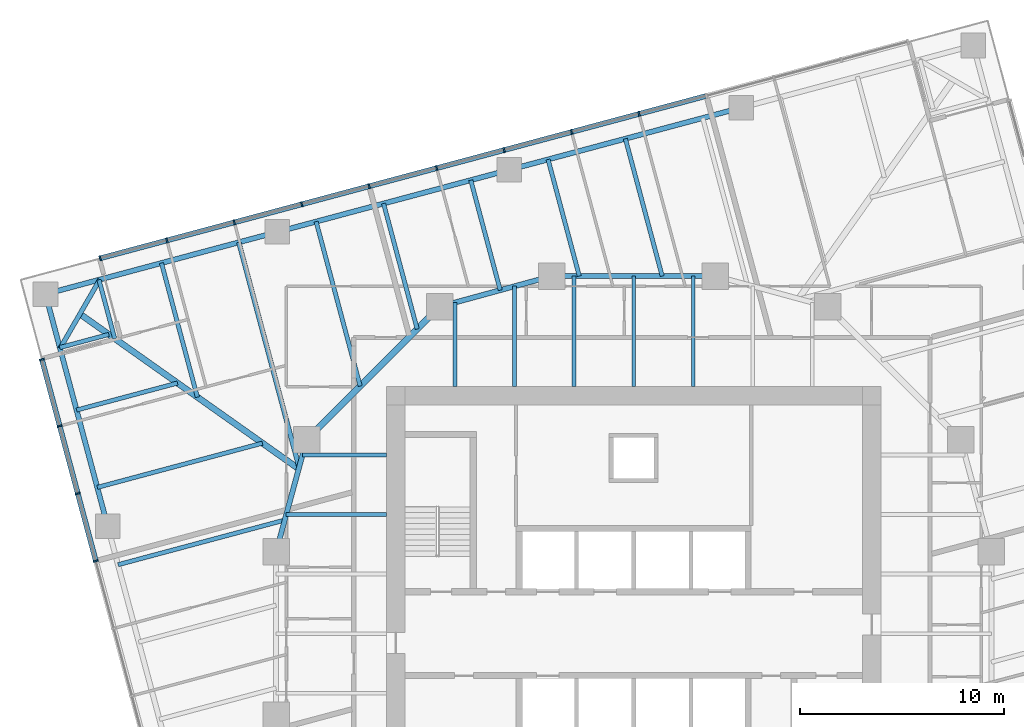
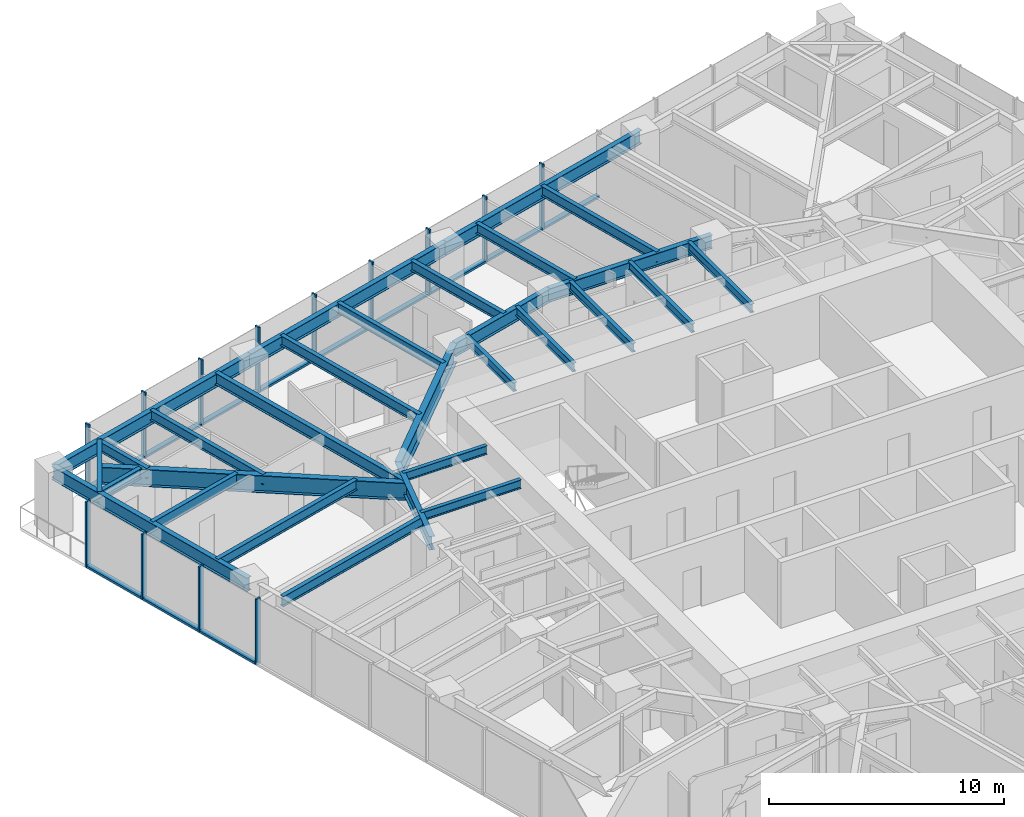
# One storey, part 5 of 13: 29 beams, 25 members, 2 elements without a shape of their own.
"""IFC4 building model written with IfcOpenShell, lengths in metres."""

from ifc_helpers import new_model, si_unit, direction, frame, origin, origin_2d, place, context, subcontext, project, spatial, rectangle, i_section, extrude, material, material_profile, profile_set, type_object, element, aggregate, save


model = new_model("IFC4")

# Units and contexts
model_context = context("Model", 3, precision=1e-05, world=origin(), true_north=direction((0.0, 1.0)))
body_context = subcontext(model_context, "Body", "Model", "MODEL_VIEW")
ifc_project = project(units=[si_unit("LENGTHUNIT", "METRE"), si_unit("AREAUNIT", "SQUARE_METRE"), si_unit("VOLUMEUNIT", "CUBIC_METRE"), si_unit("PLANEANGLEUNIT", "RADIAN"), si_unit("MASSUNIT", "GRAM", prefix="KILO")], contexts=[model_context])

# Site, building, storey
site_placement = place(None, origin())
site = spatial("IfcSite", under=ifc_project, at=site_placement, CompositionType="ELEMENT")
building_placement = place(site_placement, origin())
building = spatial("IfcBuilding", under=site, at=building_placement, Name="Torsade Residences", CompositionType="ELEMENT")
storey_placement = place(building_placement, frame((0.0, 0.0, 118.39990234375)))
storey = spatial("IfcBuildingStorey", under=building, at=storey_placement, Name="L32", CompositionType="ELEMENT", Elevation=118.39990234375)

# Beams
ifc_material_1 = material(Name="Steel grade 300", Category="steel")
ifc_material_profile_1 = material_profile(ifc_material_1, i_section(OverallWidth=0.300048828125, OverallDepth=0.89990234375, WebThickness=0.011962890625, FlangeThickness=0.02490234375, at=origin_2d()), Name="900WB175")
ifc_profile_set_1 = profile_set([ifc_material_profile_1], Name="Steel grade 300")
beam_type_1 = type_object("IfcBeamType", Name="CORNER GIRDER 900WB175", PredefinedType="BEAM", material=ifc_profile_set_1)
beam_1_placement = place(storey_placement, frame((12.902587890625, 45.644775390625, 2.800048828125), z_axis=(0.816261084801, -0.577683167004, 0.0), x_axis=(0.577683167004, 0.816261084801, 0.0)))
element("IfcBeam", 1, at=beam_1_placement, inside=storey, type_object=beam_type_1, Name="Corner girder 13 L33", PredefinedType="BEAM", context=body_context, shape_type="SweptSolid", body=[
    extrude(i_section(OverallWidth=0.300048828125, OverallDepth=0.89990234375, WebThickness=0.011962890625, FlangeThickness=0.02490234375, at=origin_2d()), origin(), (0.0, 0.0, 1.0), 13.116943359375),
])
ifc_material_2 = material(Name="Steel grade 300", Category="steel")
ifc_material_profile_2 = material_profile(ifc_material_2, i_section(OverallWidth=0.22802734375, OverallDepth=0.60205078125, WebThickness=0.010498046875, FlangeThickness=0.014892578125, FilletRadius=0.013916015625, at=origin_2d()), Name="610UB101")
ifc_profile_set_2 = profile_set([ifc_material_profile_2], Name="Steel grade 300")
beam_type_2 = type_object("IfcBeamType", Name="CORNER TRIMMER 610UB101", PredefinedType="BEAM", material=ifc_profile_set_2)
beam_2_placement = place(storey_placement, frame((11.93017578125, 43.960693359375, 2.94921875), z_axis=(0.499994147244, 0.866028782848, 0.0), x_axis=(-0.866028782848, 0.499994147244, 0.0)))
element("IfcBeam", 2, at=beam_2_placement, inside=storey, type_object=beam_type_2, Name="Corner trimmer 13 L33", PredefinedType="BEAM", context=body_context, shape_type="SweptSolid", body=[
    extrude(i_section(OverallWidth=0.22802734375, OverallDepth=0.60205078125, WebThickness=0.010498046875, FlangeThickness=0.014892578125, FilletRadius=0.013916015625, at=origin_2d()), origin(), (0.0, 0.0, 1.0), 3.88916015625),
])
ifc_material_3 = material(Name="Steel grade 300", Category="steel")
ifc_material_profile_3 = material_profile(ifc_material_3, i_section(OverallWidth=0.25, OverallDepth=0.699951171875, WebThickness=0.010009765625, FlangeThickness=0.02001953125, at=origin_2d()), Name="700WB130")
ifc_profile_set_3 = profile_set([ifc_material_profile_3], Name="Steel grade 300")
beam_type_3 = type_object("IfcBeamType", Name="EDGE BEAM 700WB130", PredefinedType="SPANDREL", material=ifc_profile_set_3)
for number, where, z_axis, x_axis, name in (
    (3, (45.267333984375, 55.740478515625, 2.900146484375), (-0.965922824118, -0.258830249097, 0.0), (0.258830249097, -0.965922824118, 0.0), "Edge beam 10 L33"),
    (4, (33.917724609375, 52.69921875, 2.900146484375), (-0.965928018634, -0.258810863021, 0.0), (0.258810863021, -0.965928018634, 0.0), "Edge beam 11 L33"),
    (5, (22.568115234375, 49.658203125, 2.900146484375), (-0.965922824118, -0.258830249097, 0.0), (0.258830249097, -0.965922824118, 0.0), "Edge beam 12 L33"),
    (6, (11.218505859375, 46.616943359375, 2.900146484375), (0.258810863021, -0.965928018634, 0.0), (0.965928018634, 0.258810863021, 0.0), "Edge beam 13 L33"),
):
    element("IfcBeam", number, at=place(storey_placement, frame(where, z_axis=z_axis, x_axis=x_axis)), inside=storey, type_object=beam_type_3, Name=name, PredefinedType="SPANDREL", context=body_context, shape_type="SweptSolid", body=[
        extrude(i_section(OverallWidth=0.25, OverallDepth=0.699951171875, WebThickness=0.010009765625, FlangeThickness=0.02001953125, at=origin_2d()), origin(), (0.0, 0.0, 1.0), 11.75),
    ])
ifc_material_4 = material(Name="Steel grade 300", Category="steel")
ifc_material_profile_4 = material_profile(ifc_material_4, i_section(OverallWidth=0.18994140625, OverallDepth=0.4541015625, WebThickness=0.008544921875, FlangeThickness=0.0126953125, FilletRadius=0.011474609375, at=origin_2d()), Name="460UB67.1")
ifc_profile_set_4 = profile_set([ifc_material_profile_4], Name="Steel grade 300")
beam_type_4 = type_object("IfcBeamType", Name="INNER FLOOR BEAM 460UB67.1", PredefinedType="JOIST", material=ifc_profile_set_4)
beam_3_placement = place(storey_placement, frame((31.262451171875, 42.10009765625, 3.023193359375), z_axis=(0.0, 1.0, 0.0), x_axis=(-1.0, 0.0, 0.0)))
element("IfcBeam", 7, at=beam_3_placement, inside=storey, type_object=beam_type_4, Name="Inner floor beam IN01 L33", PredefinedType="JOIST", context=body_context, shape_type="SweptSolid", body=[
    extrude(i_section(OverallWidth=0.18994140625, OverallDepth=0.4541015625, WebThickness=0.008544921875, FlangeThickness=0.0126953125, FilletRadius=0.011474609375, at=origin_2d()), origin(), (0.0, 0.0, 1.0), 4.10791015625),
])
beam_4_placement = place(storey_placement, frame((34.175048828125, 42.10009765625, 3.023193359375), z_axis=(0.0, 1.0, 0.0), x_axis=(-1.0, 0.0, 0.0)))
element("IfcBeam", 8, at=beam_4_placement, inside=storey, type_object=beam_type_4, Name="Inner floor beam IN02 L33", PredefinedType="JOIST", context=body_context, shape_type="SweptSolid", body=[
    extrude(i_section(OverallWidth=0.18994140625, OverallDepth=0.4541015625, WebThickness=0.008544921875, FlangeThickness=0.0126953125, FilletRadius=0.011474609375, at=origin_2d()), origin(), (0.0, 0.0, 1.0), 4.902099609375),
])
for number, where, z_axis, x_axis, name in (
    (9, (37.08740234375, 42.10009765625, 3.023193359375), (0.0, 1.0, 0.0), (-1.0, 0.0, 0.0), "Inner floor beam IN03 L33"),
    (10, (40.0, 42.10009765625, 3.023193359375), (0.0, 1.0, 0.0), (-1.0, 0.0, 0.0), "Inner floor beam IN04 L33"),
    (11, (42.91259765625, 42.10009765625, 3.023193359375), (0.0, 1.0, 0.0), (-1.0, 0.0, 0.0), "Inner floor beam IN05 L33"),
):
    element("IfcBeam", number, at=place(storey_placement, frame(where, z_axis=z_axis, x_axis=x_axis)), inside=storey, type_object=beam_type_4, Name=name, PredefinedType="JOIST", context=body_context, shape_type="SweptSolid", body=[
        extrude(i_section(OverallWidth=0.18994140625, OverallDepth=0.4541015625, WebThickness=0.008544921875, FlangeThickness=0.0126953125, FilletRadius=0.011474609375, at=origin_2d()), origin(), (0.0, 0.0, 1.0), 5.39990234375),
    ])
beam_5_placement = place(storey_placement, frame((27.89990234375, 38.737548828125, 3.023193359375), z_axis=(-1.0, 0.0, 0.0), x_axis=(0.0, -1.0, 0.0)))
element("IfcBeam", 12, at=beam_5_placement, inside=storey, type_object=beam_type_4, Name="Inner floor beam IW01 L33", PredefinedType="JOIST", context=body_context, shape_type="SweptSolid", body=[
    extrude(i_section(OverallWidth=0.18994140625, OverallDepth=0.4541015625, WebThickness=0.008544921875, FlangeThickness=0.0126953125, FilletRadius=0.011474609375, at=origin_2d()), origin(), (0.0, 0.0, 1.0), 4.10791015625),
])
beam_6_placement = place(storey_placement, frame((27.89990234375, 35.824951171875, 3.023193359375), z_axis=(-1.0, 0.0, 0.0), x_axis=(0.0, -1.0, 0.0)))
element("IfcBeam", 13, at=beam_6_placement, inside=storey, type_object=beam_type_4, Name="Inner floor beam IW02 L33", PredefinedType="JOIST", context=body_context, shape_type="SweptSolid", body=[
    extrude(i_section(OverallWidth=0.18994140625, OverallDepth=0.4541015625, WebThickness=0.008544921875, FlangeThickness=0.0126953125, FilletRadius=0.011474609375, at=origin_2d()), origin(), (0.0, 0.0, 1.0), 4.902099609375),
])

# Curtain wall, members
ifc_material_5 = material(Name="Aluminium and glass", Category="aluminium")
curtain_wall_type = type_object("IfcCurtainWallType", Name="FRITTED GLASS CURTAIN WALL MID ZONE", PredefinedType="NOTDEFINED", material=ifc_material_5)
curtain_wall_1_placement = place(storey_placement, origin())
curtain_wall_1 = element("IfcCurtainWall", 14, at=curtain_wall_1_placement, inside=storey, type_object=curtain_wall_type, Name="Curtain wall L32 face 7", PredefinedType="NOTDEFINED")
ifc_material_6 = material(Name="Aluminium mullion", Category="aluminium")
ifc_material_profile_5 = material_profile(ifc_material_6, rectangle(XDim=0.25, YDim=0.080078125, at=origin_2d()), Name="MID ZONE CURTAIN WALL MULLION 250x80")
ifc_profile_set_5 = profile_set([ifc_material_profile_5], Name="Aluminium mullion")
member_type_1 = type_object("IfcMemberType", Name="MID ZONE CURTAIN WALL MULLION 250x80", PredefinedType="MULLION", material=ifc_profile_set_5)
member_1_placement = place(storey_placement, frame((40.259521484375, 55.433837890625, 0.0), z_axis=(0.0, 0.0, 1.0), x_axis=(0.258819047783, -0.965925825571, 0.0)))
member_1 = element("IfcMember", 15, at=member_1_placement, type_object=member_type_1, Name="Mullion 5", PredefinedType="MULLION", context=body_context, shape_type="SweptSolid", body=[
    extrude(rectangle(XDim=0.25, YDim=0.080078125, at=origin_2d()), origin(), (0.0, 0.0, 1.0), 3.400146484375),
])
member_2_placement = place(storey_placement, frame((36.959228515625, 54.549560546875, 0.0), z_axis=(0.0, 0.0, 1.0), x_axis=(0.258819047783, -0.965925825571, 0.0)))
member_2 = element("IfcMember", 16, at=member_2_placement, type_object=member_type_1, Name="Mullion 6", PredefinedType="MULLION", context=body_context, shape_type="SweptSolid", body=[
    extrude(rectangle(XDim=0.25, YDim=0.080078125, at=origin_2d()), origin(), (0.0, 0.0, 1.0), 3.400146484375),
])
member_3_placement = place(storey_placement, frame((33.658935546875, 53.665283203125, 0.0), z_axis=(0.0, 0.0, 1.0), x_axis=(0.258819047783, -0.965925825571, 0.0)))
member_3 = element("IfcMember", 17, at=member_3_placement, type_object=member_type_1, Name="Mullion 7", PredefinedType="MULLION", context=body_context, shape_type="SweptSolid", body=[
    extrude(rectangle(XDim=0.25, YDim=0.080078125, at=origin_2d()), origin(), (0.0, 0.0, 1.0), 3.400146484375),
])
member_4_placement = place(storey_placement, frame((30.358642578125, 52.781005859375, 0.0), z_axis=(0.0, 0.0, 1.0), x_axis=(0.258819047783, -0.965925825571, 0.0)))
member_4 = element("IfcMember", 18, at=member_4_placement, type_object=member_type_1, Name="Mullion 8", PredefinedType="MULLION", context=body_context, shape_type="SweptSolid", body=[
    extrude(rectangle(XDim=0.25, YDim=0.080078125, at=origin_2d()), origin(), (0.0, 0.0, 1.0), 3.400146484375),
])
member_5_placement = place(storey_placement, frame((27.058349609375, 51.896484375, 0.0), z_axis=(0.0, 0.0, 1.0), x_axis=(0.258819047783, -0.965925825571, 0.0)))
member_5 = element("IfcMember", 19, at=member_5_placement, type_object=member_type_1, Name="Mullion 9", PredefinedType="MULLION", context=body_context, shape_type="SweptSolid", body=[
    extrude(rectangle(XDim=0.25, YDim=0.080078125, at=origin_2d()), origin(), (0.0, 0.0, 1.0), 3.400146484375),
])
member_6_placement = place(storey_placement, frame((23.75830078125, 51.01220703125, 0.0), z_axis=(0.0, 0.0, 1.0), x_axis=(0.258819047783, -0.965925825571, 0.0)))
member_6 = element("IfcMember", 20, at=member_6_placement, type_object=member_type_1, Name="Mullion 10", PredefinedType="MULLION", context=body_context, shape_type="SweptSolid", body=[
    extrude(rectangle(XDim=0.25, YDim=0.080078125, at=origin_2d()), origin(), (0.0, 0.0, 1.0), 3.400146484375),
])
member_7_placement = place(storey_placement, frame((20.4580078125, 50.1279296875, 0.0), z_axis=(0.0, 0.0, 1.0), x_axis=(0.258819047783, -0.965925825571, 0.0)))
member_7 = element("IfcMember", 21, at=member_7_placement, type_object=member_type_1, Name="Mullion 11", PredefinedType="MULLION", context=body_context, shape_type="SweptSolid", body=[
    extrude(rectangle(XDim=0.25, YDim=0.080078125, at=origin_2d()), origin(), (0.0, 0.0, 1.0), 3.400146484375),
])
member_8_placement = place(storey_placement, frame((17.15771484375, 49.24365234375, 0.0), z_axis=(0.0, 0.0, 1.0), x_axis=(0.258819047783, -0.965925825571, 0.0)))
member_8 = element("IfcMember", 22, at=member_8_placement, type_object=member_type_1, Name="Mullion 12", PredefinedType="MULLION", context=body_context, shape_type="SweptSolid", body=[
    extrude(rectangle(XDim=0.25, YDim=0.080078125, at=origin_2d()), origin(), (0.0, 0.0, 1.0), 3.400146484375),
])
member_9_placement = place(storey_placement, frame((13.89599609375, 48.36962890625, 0.0), z_axis=(0.0, 0.0, 1.0), x_axis=(0.258819047783, -0.965925825571, 0.0)))
member_9 = element("IfcMember", 23, at=member_9_placement, type_object=member_type_1, Name="Mullion 13", PredefinedType="MULLION", context=body_context, shape_type="SweptSolid", body=[
    extrude(rectangle(XDim=0.25, YDim=0.080078125, at=origin_2d()), origin(), (0.0, 0.0, 1.0), 3.400146484375),
])

curtain_wall_2_placement = place(storey_placement, origin())
curtain_wall_2 = element("IfcCurtainWall", 24, at=curtain_wall_2_placement, inside=storey, type_object=curtain_wall_type, Name="Curtain wall L32 face 10", PredefinedType="NOTDEFINED")
member_10_placement = place(storey_placement, frame((11.039306640625, 43.421875, 0.0), z_axis=(0.0, 0.0, 1.0), x_axis=(0.965925825571, 0.258819047783, 0.0)))
member_10 = element("IfcMember", 25, at=member_10_placement, type_object=member_type_1, Name="Mullion 1", PredefinedType="MULLION", context=body_context, shape_type="SweptSolid", body=[
    extrude(rectangle(XDim=0.25, YDim=0.080078125, at=origin_2d()), origin(), (0.0, 0.0, 1.0), 3.400146484375),
])
member_11_placement = place(storey_placement, frame((11.913330078125, 40.16015625, 0.0), z_axis=(0.0, 0.0, 1.0), x_axis=(0.965925825571, 0.258819047783, 0.0)))
member_11 = element("IfcMember", 26, at=member_11_placement, type_object=member_type_1, Name="Mullion 2", PredefinedType="MULLION", context=body_context, shape_type="SweptSolid", body=[
    extrude(rectangle(XDim=0.25, YDim=0.080078125, at=origin_2d()), origin(), (0.0, 0.0, 1.0), 3.400146484375),
])
member_12_placement = place(storey_placement, frame((12.797607421875, 36.85986328125, 0.0), z_axis=(0.0, 0.0, 1.0), x_axis=(0.965925825571, 0.258819047783, 0.0)))
member_12 = element("IfcMember", 27, at=member_12_placement, type_object=member_type_1, Name="Mullion 3", PredefinedType="MULLION", context=body_context, shape_type="SweptSolid", body=[
    extrude(rectangle(XDim=0.25, YDim=0.080078125, at=origin_2d()), origin(), (0.0, 0.0, 1.0), 3.400146484375),
])
member_13_placement = place(storey_placement, frame((13.681884765625, 33.5595703125, 0.0), z_axis=(0.0, 0.0, 1.0), x_axis=(0.965925825571, 0.258819047783, 0.0)))
member_13 = element("IfcMember", 28, at=member_13_placement, type_object=member_type_1, Name="Mullion 4", PredefinedType="MULLION", context=body_context, shape_type="SweptSolid", body=[
    extrude(rectangle(XDim=0.25, YDim=0.080078125, at=origin_2d()), origin(), (0.0, 0.0, 1.0), 3.400146484375),
])

# Member
ifc_material_7 = material(Name="Aluminium transom", Category="aluminium")
ifc_material_profile_6 = material_profile(ifc_material_7, rectangle(XDim=0.25, YDim=0.110107421875, at=origin_2d()), Name="MID ZONE CURTAIN WALL TRANSOM 250x110")
ifc_profile_set_6 = profile_set([ifc_material_profile_6], Name="Aluminium transom")
member_type_2 = type_object("IfcMemberType", Name="MID ZONE CURTAIN WALL TRANSOM 250x110", PredefinedType="USERDEFINED", material=ifc_profile_set_6)
member_14_placement = place(storey_placement, frame((43.52099609375, 56.3076171875, 0.05517578125), z_axis=(-0.965929435155, -0.258805576255, 0.0), x_axis=(0.258805576255, -0.965929435155, 0.0)))
member_14 = element("IfcMember", 29, at=member_14_placement, type_object=member_type_2, Name="Transom 4.1", ObjectType="TRANSOM", PredefinedType="USERDEFINED", context=body_context, shape_type="SweptSolid", body=[
    extrude(rectangle(XDim=0.25, YDim=0.110107421875, at=origin_2d()), origin(), (0.0, 0.0, 1.0), 3.336669921875),
])

member_15_placement = place(storey_placement, frame((40.220703125, 55.42333984375, 0.05517578125), z_axis=(-0.965929435155, -0.258805576255, 0.0), x_axis=(0.258805576255, -0.965929435155, 0.0)))
member_15 = element("IfcMember", 30, at=member_15_placement, type_object=member_type_2, Name="Transom 5.1", ObjectType="TRANSOM", PredefinedType="USERDEFINED", context=body_context, shape_type="SweptSolid", body=[
    extrude(rectangle(XDim=0.25, YDim=0.110107421875, at=origin_2d()), origin(), (0.0, 0.0, 1.0), 3.336669921875),
])

member_16_placement = place(storey_placement, frame((36.920654296875, 54.5390625, 0.05517578125), z_axis=(-0.965934335648, -0.258787285653, 0.0), x_axis=(0.258787285653, -0.965934335648, 0.0)))
member_16 = element("IfcMember", 31, at=member_16_placement, type_object=member_type_2, Name="Transom 6.1", ObjectType="TRANSOM", PredefinedType="USERDEFINED", context=body_context, shape_type="SweptSolid", body=[
    extrude(rectangle(XDim=0.25, YDim=0.110107421875, at=origin_2d()), origin(), (0.0, 0.0, 1.0), 3.3369140625),
])

member_17_placement = place(storey_placement, frame((33.620361328125, 53.65478515625, 0.05517578125), z_axis=(-0.965934335648, -0.258787285653, 0.0), x_axis=(0.258787285653, -0.965934335648, 0.0)))
member_17 = element("IfcMember", 32, at=member_17_placement, type_object=member_type_2, Name="Transom 7.1", ObjectType="TRANSOM", PredefinedType="USERDEFINED", context=body_context, shape_type="SweptSolid", body=[
    extrude(rectangle(XDim=0.25, YDim=0.110107421875, at=origin_2d()), origin(), (0.0, 0.0, 1.0), 3.3369140625),
])

member_18_placement = place(storey_placement, frame((30.320068359375, 52.7705078125, 0.05517578125), z_axis=(-0.965929435155, -0.258805576255, 0.0), x_axis=(0.258805576255, -0.965929435155, 0.0)))
member_18 = element("IfcMember", 33, at=member_18_placement, type_object=member_type_2, Name="Transom 8.1", ObjectType="TRANSOM", PredefinedType="USERDEFINED", context=body_context, shape_type="SweptSolid", body=[
    extrude(rectangle(XDim=0.25, YDim=0.110107421875, at=origin_2d()), origin(), (0.0, 0.0, 1.0), 3.336669921875),
])

member_19_placement = place(storey_placement, frame((27.019775390625, 51.88623046875, 0.05517578125), z_axis=(-0.965929435155, -0.258805576255, 0.0), x_axis=(0.258805576255, -0.965929435155, 0.0)))
member_19 = element("IfcMember", 34, at=member_19_placement, type_object=member_type_2, Name="Transom 9.1", ObjectType="TRANSOM", PredefinedType="USERDEFINED", context=body_context, shape_type="SweptSolid", body=[
    extrude(rectangle(XDim=0.25, YDim=0.110107421875, at=origin_2d()), origin(), (0.0, 0.0, 1.0), 3.336669921875),
])

member_20_placement = place(storey_placement, frame((23.719482421875, 51.001953125, 0.05517578125), z_axis=(-0.965929435155, -0.258805576255, 0.0), x_axis=(0.258805576255, -0.965929435155, 0.0)))
member_20 = element("IfcMember", 35, at=member_20_placement, type_object=member_type_2, Name="Transom 10.1", ObjectType="TRANSOM", PredefinedType="USERDEFINED", context=body_context, shape_type="SweptSolid", body=[
    extrude(rectangle(XDim=0.25, YDim=0.110107421875, at=origin_2d()), origin(), (0.0, 0.0, 1.0), 3.336669921875),
])

member_21_placement = place(storey_placement, frame((20.419189453125, 50.11767578125, 0.05517578125), z_axis=(-0.965929435155, -0.258805576255, 0.0), x_axis=(0.258805576255, -0.965929435155, 0.0)))
member_21 = element("IfcMember", 36, at=member_21_placement, type_object=member_type_2, Name="Transom 11.1", ObjectType="TRANSOM", PredefinedType="USERDEFINED", context=body_context, shape_type="SweptSolid", body=[
    extrude(rectangle(XDim=0.25, YDim=0.110107421875, at=origin_2d()), origin(), (0.0, 0.0, 1.0), 3.336669921875),
])

member_22_placement = place(storey_placement, frame((17.119140625, 49.2333984375, 0.05517578125), z_axis=(-0.965923258633, -0.258828627534, 0.0), x_axis=(0.258828627534, -0.965923258633, 0.0)))
member_22 = element("IfcMember", 37, at=member_22_placement, type_object=member_type_2, Name="Transom 12.1", ObjectType="TRANSOM", PredefinedType="USERDEFINED", context=body_context, shape_type="SweptSolid", body=[
    extrude(rectangle(XDim=0.25, YDim=0.110107421875, at=origin_2d()), origin(), (0.0, 0.0, 1.0), 3.296630859375),
])

aggregate(curtain_wall_1, [member_1, member_2, member_3, member_4, member_5, member_6, member_7, member_8, member_9, member_14, member_15, member_16, member_17, member_18, member_19, member_20, member_21, member_22])

member_23_placement = place(storey_placement, frame((11.0498046875, 43.383056640625, 0.05517578125), z_axis=(0.258828627534, -0.965923258633, 0.0), x_axis=(0.965923258633, 0.258828627534, 0.0)))
member_23 = element("IfcMember", 38, at=member_23_placement, type_object=member_type_2, Name="Transom 1.1", ObjectType="TRANSOM", PredefinedType="USERDEFINED", context=body_context, shape_type="SweptSolid", body=[
    extrude(rectangle(XDim=0.25, YDim=0.110107421875, at=origin_2d()), origin(), (0.0, 0.0, 1.0), 3.296630859375),
])

member_24_placement = place(storey_placement, frame((11.923583984375, 40.12158203125, 0.05517578125), z_axis=(0.258855549498, -0.965916044226, 0.0), x_axis=(0.965916044226, 0.258855549498, 0.0)))
member_24 = element("IfcMember", 39, at=member_24_placement, type_object=member_type_2, Name="Transom 2.1", ObjectType="TRANSOM", PredefinedType="USERDEFINED", context=body_context, shape_type="SweptSolid", body=[
    extrude(rectangle(XDim=0.25, YDim=0.110107421875, at=origin_2d()), origin(), (0.0, 0.0, 1.0), 3.3369140625),
])

member_25_placement = place(storey_placement, frame((12.807861328125, 36.8212890625, 0.05517578125), z_axis=(0.258873844232, -0.96591114124, 0.0), x_axis=(0.96591114124, 0.258873844232, 0.0)))
member_25 = element("IfcMember", 40, at=member_25_placement, type_object=member_type_2, Name="Transom 3.1", ObjectType="TRANSOM", PredefinedType="USERDEFINED", context=body_context, shape_type="SweptSolid", body=[
    extrude(rectangle(XDim=0.25, YDim=0.110107421875, at=origin_2d()), origin(), (0.0, 0.0, 1.0), 3.336669921875),
])

aggregate(curtain_wall_2, [member_10, member_11, member_12, member_13, member_23, member_24, member_25])

# Beams
ifc_material_8 = material(Name="Steel grade 300", Category="steel")
ifc_material_profile_7 = material_profile(ifc_material_8, i_section(OverallWidth=0.300048828125, OverallDepth=1.0, WebThickness=0.01611328125, FlangeThickness=0.028076171875, at=origin_2d()), Name="1000WB215")
ifc_profile_set_7 = profile_set([ifc_material_profile_7], Name="Steel grade 300")
beam_type_5 = type_object("IfcBeamType", Name="RING CORNER GIRDER 1000WB215", PredefinedType="BEAM", material=ifc_profile_set_7)
beam_7_placement = place(storey_placement, frame((30.5, 46.0, 2.75), z_axis=(-0.707106781187, -0.707106781187, 0.0), x_axis=(0.707106781187, -0.707106781187, 0.0)))
element("IfcBeam", 41, at=beam_7_placement, inside=storey, type_object=beam_type_5, Name="Ring girder IR07 L33", PredefinedType="BEAM", context=body_context, shape_type="SweptSolid", body=[
    extrude(i_section(OverallWidth=0.300048828125, OverallDepth=1.0, WebThickness=0.01611328125, FlangeThickness=0.028076171875, at=origin_2d()), origin(), (0.0, 0.0, 1.0), 9.1923828125),
])
ifc_material_9 = material(Name="Steel grade 300", Category="steel")
ifc_material_profile_8 = material_profile(ifc_material_9, i_section(OverallWidth=0.25, OverallDepth=0.699951171875, WebThickness=0.010009765625, FlangeThickness=0.02001953125, at=origin_2d()), Name="700WB130")
ifc_profile_set_8 = profile_set([ifc_material_profile_8], Name="Steel grade 300")
beam_type_6 = type_object("IfcBeamType", Name="RING GIRDER 700WB130", PredefinedType="BEAM", material=ifc_profile_set_8)
beam_8_placement = place(storey_placement, frame((44.0, 47.5, 2.900146484375), z_axis=(-1.0, 0.0, 0.0), x_axis=(0.0, -1.0, 0.0)))
element("IfcBeam", 42, at=beam_8_placement, inside=storey, type_object=beam_type_6, Name="Ring girder IR05 L33", PredefinedType="BEAM", context=body_context, shape_type="SweptSolid", body=[
    extrude(i_section(OverallWidth=0.25, OverallDepth=0.699951171875, WebThickness=0.010009765625, FlangeThickness=0.02001953125, at=origin_2d()), origin(), (0.0, 0.0, 1.0), 8.0),
])
for number, where, z_axis, x_axis, name in (
    (43, (36.0, 47.5, 2.900146484375), (-0.964763821238, -0.263117405792, 0.0), (0.263117405792, -0.964763821238, 0.0), "Ring girder IR06 L33"),
    (44, (24.0, 39.5, 2.900146484375), (-0.263117405792, -0.964763821238, 0.0), (0.964763821238, -0.263117405792, 0.0), "Ring girder IR08 L33"),
):
    element("IfcBeam", number, at=place(storey_placement, frame(where, z_axis=z_axis, x_axis=x_axis)), inside=storey, type_object=beam_type_6, Name=name, PredefinedType="BEAM", context=body_context, shape_type="SweptSolid", body=[
        extrude(i_section(OverallWidth=0.25, OverallDepth=0.699951171875, WebThickness=0.010009765625, FlangeThickness=0.02001953125, at=origin_2d()), origin(), (0.0, 0.0, 1.0), 5.700927734375),
    ])
ifc_material_10 = material(Name="Steel grade 300", Category="steel")
ifc_material_profile_9 = material_profile(ifc_material_10, i_section(OverallWidth=0.208984375, OverallDepth=0.528076171875, WebThickness=0.009521484375, FlangeThickness=0.01318359375, FilletRadius=0.013916015625, at=origin_2d()), Name="530UB82.0")
ifc_profile_set_9 = profile_set([ifc_material_profile_9], Name="Steel grade 300")
beam_type_7 = type_object("IfcBeamType", Name="SECONDARY BEAM 530UB82.0", PredefinedType="JOIST", material=ifc_profile_set_9)
beam_9_placement = place(storey_placement, frame((39.592529296875, 54.2197265625, 2.986083984375), z_axis=(0.258817945835, -0.965926120836, 0.0), x_axis=(0.965926120836, 0.258817945835, 0.0)))
element("IfcBeam", 45, at=beam_9_placement, inside=storey, type_object=beam_type_7, Name="Floor beam FN05 L33", PredefinedType="JOIST", context=body_context, shape_type="SweptSolid", body=[
    extrude(i_section(OverallWidth=0.208984375, OverallDepth=0.528076171875, WebThickness=0.009521484375, FlangeThickness=0.01318359375, FilletRadius=0.013916015625, at=origin_2d()), origin(), (0.0, 0.0, 1.0), 6.956787109375),
])
beam_10_placement = place(storey_placement, frame((35.809326171875, 53.2060546875, 2.986083984375), z_axis=(0.258837996141, -0.965920748174, 0.0), x_axis=(0.965920748174, 0.258837996141, 0.0)))
element("IfcBeam", 46, at=beam_10_placement, inside=storey, type_object=beam_type_7, Name="Floor beam FN06 L33", PredefinedType="JOIST", context=body_context, shape_type="SweptSolid", body=[
    extrude(i_section(OverallWidth=0.208984375, OverallDepth=0.528076171875, WebThickness=0.009521484375, FlangeThickness=0.01318359375, FilletRadius=0.013916015625, at=origin_2d()), origin(), (0.0, 0.0, 1.0), 5.907470703125),
])
beam_11_placement = place(storey_placement, frame((32.026123046875, 52.1923828125, 2.986083984375), z_axis=(0.258829517553, -0.965923020144, 0.0), x_axis=(0.965923020144, 0.258829517553, 0.0)))
element("IfcBeam", 47, at=beam_11_placement, inside=storey, type_object=beam_type_7, Name="Floor beam FN07 L33", PredefinedType="JOIST", context=body_context, shape_type="SweptSolid", body=[
    extrude(i_section(OverallWidth=0.208984375, OverallDepth=0.528076171875, WebThickness=0.009521484375, FlangeThickness=0.01318359375, FilletRadius=0.013916015625, at=origin_2d()), origin(), (0.0, 0.0, 1.0), 5.57275390625),
])
beam_12_placement = place(storey_placement, frame((27.760009765625, 51.04931640625, 2.986083984375), z_axis=(0.258804520856, -0.965929717932, 0.0), x_axis=(0.965929717932, 0.258804520856, 0.0)))
element("IfcBeam", 48, at=beam_12_placement, inside=storey, type_object=beam_type_7, Name="Floor beam FN08 L33", PredefinedType="JOIST", context=body_context, shape_type="SweptSolid", body=[
    extrude(i_section(OverallWidth=0.208984375, OverallDepth=0.528076171875, WebThickness=0.009521484375, FlangeThickness=0.01318359375, FilletRadius=0.013916015625, at=origin_2d()), origin(), (0.0, 0.0, 1.0), 6.360107421875),
])
beam_13_placement = place(storey_placement, frame((24.459716796875, 50.1650390625, 2.986083984375), z_axis=(0.258833232221, -0.96592202475, 0.0), x_axis=(0.96592202475, 0.258833232221, 0.0)))
element("IfcBeam", 49, at=beam_13_placement, inside=storey, type_object=beam_type_7, Name="Floor beam FN09 L33", PredefinedType="JOIST", context=body_context, shape_type="SweptSolid", body=[
    extrude(i_section(OverallWidth=0.208984375, OverallDepth=0.528076171875, WebThickness=0.009521484375, FlangeThickness=0.01318359375, FilletRadius=0.013916015625, at=origin_2d()), origin(), (0.0, 0.0, 1.0), 8.33251953125),
])
beam_14_placement = place(storey_placement, frame((16.893310546875, 48.137451171875, 2.986083984375), z_axis=(0.258814533235, -0.965927035229, 0.0), x_axis=(0.965927035229, 0.258814533235, 0.0)))
element("IfcBeam", 50, at=beam_14_placement, inside=storey, type_object=beam_type_7, Name="Floor beam FN11 L33", PredefinedType="JOIST", context=body_context, shape_type="SweptSolid", body=[
    extrude(i_section(OverallWidth=0.208984375, OverallDepth=0.528076171875, WebThickness=0.009521484375, FlangeThickness=0.01318359375, FilletRadius=0.013916015625, at=origin_2d()), origin(), (0.0, 0.0, 1.0), 6.792724609375),
])
beam_15_placement = place(storey_placement, frame((13.83447265625, 47.31787109375, 2.986083984375), z_axis=(0.258865750242, -0.965913310475, 0.0), x_axis=(0.965913310475, 0.258865750242, 0.0)))
element("IfcBeam", 51, at=beam_15_placement, inside=storey, type_object=beam_type_7, Name="Floor beam FN12 L33", PredefinedType="JOIST", context=body_context, shape_type="SweptSolid", body=[
    extrude(i_section(OverallWidth=0.208984375, OverallDepth=0.528076171875, WebThickness=0.009521484375, FlangeThickness=0.01318359375, FilletRadius=0.013916015625, at=origin_2d()), origin(), (0.0, 0.0, 1.0), 2.980224609375),
])
beam_16_placement = place(storey_placement, frame((11.91943359375, 44.0009765625, 2.986083984375), z_axis=(0.965920834438, 0.258837674225, 0.0), x_axis=(-0.258837674225, 0.965920834438, 0.0)))
element("IfcBeam", 52, at=beam_16_placement, inside=storey, type_object=beam_type_7, Name="Floor beam FW01 L33", PredefinedType="JOIST", context=body_context, shape_type="SweptSolid", body=[
    extrude(i_section(OverallWidth=0.208984375, OverallDepth=0.528076171875, WebThickness=0.009521484375, FlangeThickness=0.01318359375, FilletRadius=0.013916015625, at=origin_2d()), origin(), (0.0, 0.0, 1.0), 2.482666015625),
])
beam_17_placement = place(storey_placement, frame((12.739013671875, 40.942138671875, 2.986083984375), z_axis=(0.965926736728, 0.258815647274, 0.0), x_axis=(-0.258815647274, 0.965926736728, 0.0)))
element("IfcBeam", 53, at=beam_17_placement, inside=storey, type_object=beam_type_7, Name="Floor beam FW02 L33", PredefinedType="JOIST", context=body_context, shape_type="SweptSolid", body=[
    extrude(i_section(OverallWidth=0.208984375, OverallDepth=0.528076171875, WebThickness=0.009521484375, FlangeThickness=0.01318359375, FilletRadius=0.013916015625, at=origin_2d()), origin(), (0.0, 0.0, 1.0), 5.11279296875),
])
beam_18_placement = place(storey_placement, frame((13.752685546875, 37.158935546875, 2.986083984375), z_axis=(0.965924734258, 0.258823120582, 0.0), x_axis=(-0.258823120582, 0.965924734258, 0.0)))
element("IfcBeam", 54, at=beam_18_placement, inside=storey, type_object=beam_type_7, Name="Floor beam FW03 L33", PredefinedType="JOIST", context=body_context, shape_type="SweptSolid", body=[
    extrude(i_section(OverallWidth=0.208984375, OverallDepth=0.528076171875, WebThickness=0.009521484375, FlangeThickness=0.01318359375, FilletRadius=0.013916015625, at=origin_2d()), origin(), (0.0, 0.0, 1.0), 8.365966796875),
])
beam_19_placement = place(storey_placement, frame((14.766357421875, 33.375732421875, 2.986083984375), z_axis=(0.965928701223, 0.258808315464, 0.0), x_axis=(-0.258808315464, 0.965928701223, 0.0)))
element("IfcBeam", 55, at=beam_19_placement, inside=storey, type_object=beam_type_7, Name="Floor beam FW04 L33", PredefinedType="JOIST", context=body_context, shape_type="SweptSolid", body=[
    extrude(i_section(OverallWidth=0.208984375, OverallDepth=0.528076171875, WebThickness=0.009521484375, FlangeThickness=0.01318359375, FilletRadius=0.013916015625, at=origin_2d()), origin(), (0.0, 0.0, 1.0), 8.447509765625),
])
ifc_material_11 = material(Name="Steel grade 300", Category="steel")
ifc_material_profile_10 = material_profile(ifc_material_11, i_section(OverallWidth=0.22900390625, OverallDepth=0.612060546875, WebThickness=0.011962890625, FlangeThickness=0.01953125, FilletRadius=0.013916015625, at=origin_2d()), Name="610UB125")
ifc_profile_set_10 = profile_set([ifc_material_profile_10], Name="Steel grade 300")
beam_type_8 = type_object("IfcBeamType", Name="SECONDARY BEAM 610UB125", PredefinedType="JOIST", material=ifc_profile_set_10)
beam_20_placement = place(storey_placement, frame((20.676513671875, 49.1513671875, 2.944091796875), z_axis=(0.258807068179, -0.965929035417, 0.0), x_axis=(0.965929035417, 0.258807068179, 0.0)))
element("IfcBeam", 56, at=beam_20_placement, inside=storey, type_object=beam_type_8, Name="Floor beam FN10 L33", PredefinedType="JOIST", context=body_context, shape_type="SweptSolid", body=[
    extrude(i_section(OverallWidth=0.22900390625, OverallDepth=0.612060546875, WebThickness=0.011962890625, FlangeThickness=0.01953125, FilletRadius=0.013916015625, at=origin_2d()), origin(), (0.0, 0.0, 1.0), 11.40380859375),
])

save(model, "model.ifc")
